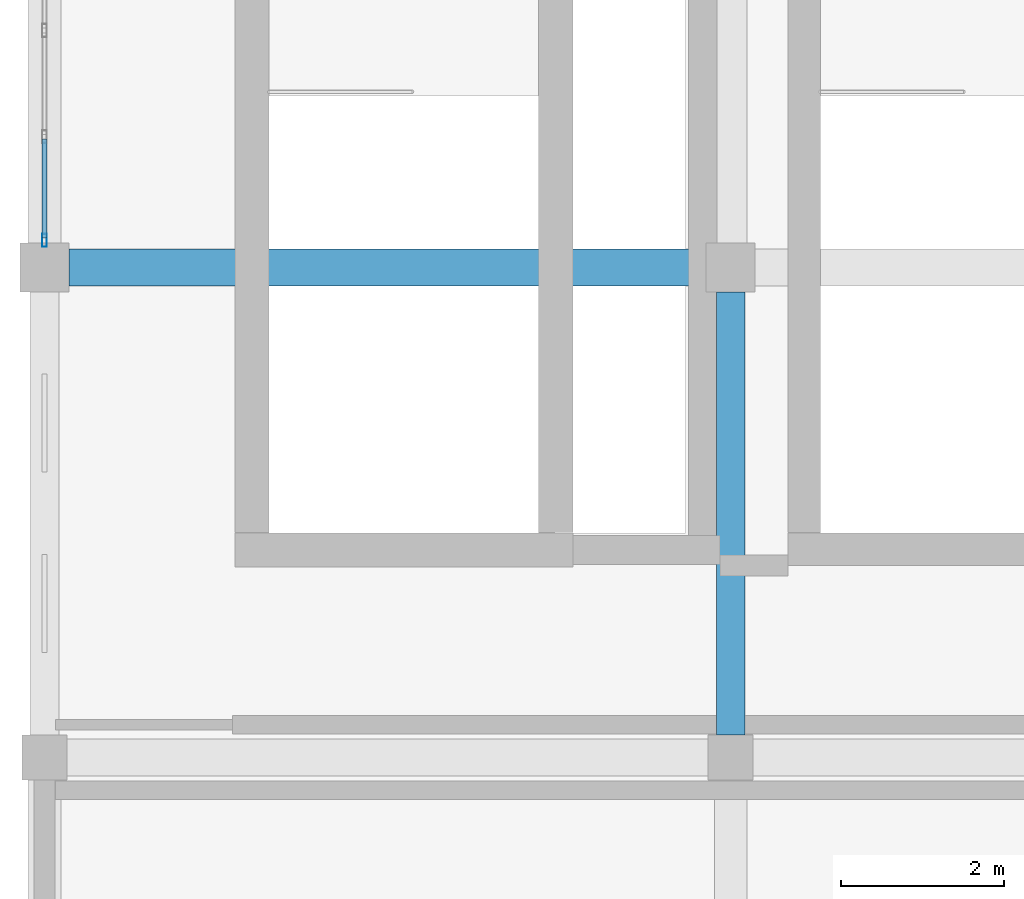
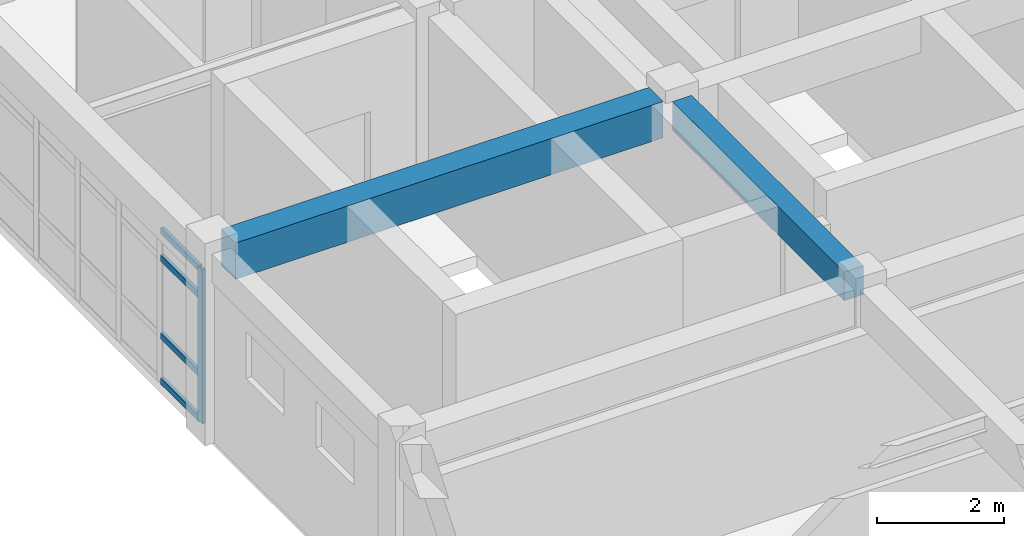
# One storey, part 4 of 17: 5 members, 2 beams, 1 element without a shape of its own.
"""IFC4 building model written with IfcOpenShell, lengths in metres."""

from ifc_helpers import new_model, si_unit, direction, frame, origin, origin_2d, place, context, subcontext, project, spatial, rectangle, hollow_rectangle, extrude, material, layer, layer_set, material_profile, profile_set, type_object, element, aggregate, save


model = new_model("IFC4")

# Units and contexts
model_context = context("Model", 3, precision=1e-05, world=origin(), true_north=direction((0.0, 1.0)))
body_context = subcontext(model_context, "Body", "Model", "MODEL_VIEW")
ifc_project = project(units=[si_unit("LENGTHUNIT", "METRE"), si_unit("AREAUNIT", "SQUARE_METRE"), si_unit("VOLUMEUNIT", "CUBIC_METRE"), si_unit("PLANEANGLEUNIT", "RADIAN"), si_unit("MASSUNIT", "GRAM", prefix="KILO")], contexts=[model_context])

# Site, building, storey
site_placement = place(None, origin())
site = spatial("IfcSite", under=ifc_project, at=site_placement, CompositionType="ELEMENT")
building_placement = place(site_placement, origin())
building = spatial("IfcBuilding", under=site, at=building_placement, Name="Krzemoval Escarpment Law Courts", CompositionType="ELEMENT")
storey_placement = place(building_placement, frame((0.0, 0.0, 42.0)))
storey = spatial("IfcBuildingStorey", under=building, at=storey_placement, Name="L09", CompositionType="ELEMENT", Elevation=42.0)

# Beams
ifc_material_1 = material(Name="Concrete C40/50", Category="concrete")
ifc_material_profile_1 = material_profile(ifc_material_1, rectangle(XDim=0.35009765625, YDim=0.550048828125, at=origin_2d()), Name="RCB 350x550")
ifc_profile_set_1 = profile_set([ifc_material_profile_1], Name="Concrete C40/50")
beam_type_1 = type_object("IfcBeamType", Name="BM-RC-350x550", PredefinedType="BEAM", material=ifc_profile_set_1)
beam_1_placement = place(storey_placement, frame((134.39990234375, 93.875, 3.385009765625), z_axis=(0.0, 1.0, 0.0), x_axis=(-1.0, 0.0, 0.0)))
element("IfcBeam", 1, at=beam_1_placement, inside=storey, type_object=beam_type_1, Name="Beam FG-L09-2807", PredefinedType="BEAM", context=body_context, shape_type="SweptSolid", body=[
    extrude(rectangle(XDim=0.35009765625, YDim=0.550048828125, at=origin_2d()), origin(), (0.0, 0.0, 1.0), 5.425048828125),
])
ifc_material_2 = material(Name="Concrete C40/50", Category="concrete")
ifc_material_profile_2 = material_profile(ifc_material_2, rectangle(XDim=0.449951171875, YDim=0.699951171875, at=origin_2d()), Name="RCB 450x700")
ifc_profile_set_2 = profile_set([ifc_material_profile_2], Name="Concrete C40/50")
beam_type_2 = type_object("IfcBeamType", Name="BM-RC-450x700", PredefinedType="BEAM", material=ifc_profile_set_2)
beam_2_placement = place(storey_placement, frame((126.300048828125, 99.60009765625, 3.31005859375), z_axis=(1.0, 0.0, 0.0), x_axis=(0.0, 1.0, 0.0)))
element("IfcBeam", 2, at=beam_2_placement, inside=storey, type_object=beam_type_2, Name="Beam FG-L09-2789", PredefinedType="BEAM", context=body_context, shape_type="SweptSolid", body=[
    extrude(rectangle(XDim=0.449951171875, YDim=0.699951171875, at=origin_2d()), origin(), (0.0, 0.0, 1.0), 7.800048828125),
])

# Curtain wall, members
ifc_material_3 = material(Name="Aluminium 6063-T6", Category="aluminium")
ifc_layer = layer(ifc_material_3, 0.199951171875)
ifc_layer_set = layer_set([ifc_layer], Name="Aluminium 6063-T6")
curtain_wall_type = type_object("IfcCurtainWallType", Name="CW-CRWN-3900", PredefinedType="USERDEFINED", material=ifc_layer_set)
curtain_wall_placement = place(storey_placement, origin())
curtain_wall = element("IfcCurtainWall", 3, at=curtain_wall_placement, inside=storey, type_object=curtain_wall_type, Name="Unitised Curtain Wall FCW-L09-169", ObjectType="UNITISED_CURTAIN_WALL", PredefinedType="USERDEFINED")
ifc_material_4 = material(Name="Aluminium 6063-T6", Category="aluminium")
ifc_material_profile_3 = material_profile(ifc_material_4, hollow_rectangle(XDim=0.06005859375, YDim=0.159912109375, WallThickness=0.00390625, at=origin_2d()), Name="ALU M60x160")
ifc_profile_set_3 = profile_set([ifc_material_profile_3], Name="Aluminium 6063-T6")
member_type_1 = type_object("IfcMemberType", Name="CWM-60x160", PredefinedType="MULLION", material=ifc_profile_set_3)
member_1_placement = place(storey_placement, frame((126.0, 99.929931640625, 0.0), z_axis=(0.0, 0.0, 1.0), x_axis=(-1.0, 0.0, 0.0)))
member_1 = element("IfcMember", 4, at=member_1_placement, type_object=member_type_1, Name="FCW-L09-169 mullion 1", PredefinedType="MULLION", context=body_context, shape_type="SweptSolid", body=[
    extrude(hollow_rectangle(XDim=0.06005859375, YDim=0.159912109375, WallThickness=0.00390625, at=origin_2d()), origin(), (0.0, 0.0, 1.0), 2.9599609375),
])
ifc_material_5 = material(Name="Aluminium 6063-T6", Category="aluminium")
ifc_material_profile_4 = material_profile(ifc_material_5, hollow_rectangle(XDim=0.06005859375, YDim=0.1201171875, WallThickness=0.00390625, at=origin_2d()), Name="ALU T60x120")
ifc_profile_set_4 = profile_set([ifc_material_profile_4], Name="Aluminium 6063-T6")
member_type_2 = type_object("IfcMemberType", Name="CWT-60x120", PredefinedType="USERDEFINED", material=ifc_profile_set_4)
member_2_placement = place(storey_placement, frame((126.0, 99.9599609375, 0.030029296875), z_axis=(0.0, 1.0, 0.0), x_axis=(-1.0, 0.0, 0.0)))
member_2 = element("IfcMember", 5, at=member_2_placement, type_object=member_type_2, Name="FCW-L09-169 transom 1.1", ObjectType="TRANSOM", PredefinedType="USERDEFINED", context=body_context, shape_type="SweptSolid", body=[
    extrude(hollow_rectangle(XDim=0.06005859375, YDim=0.1201171875, WallThickness=0.00390625, at=origin_2d()), origin(), (0.0, 0.0, 1.0), 1.2099609375),
])
member_3_placement = place(storey_placement, frame((126.0, 99.9599609375, 0.89990234375), z_axis=(0.0, 1.0, 0.0), x_axis=(-1.0, 0.0, 0.0)))
member_3 = element("IfcMember", 6, at=member_3_placement, type_object=member_type_2, Name="FCW-L09-169 transom 1.2", ObjectType="TRANSOM", PredefinedType="USERDEFINED", context=body_context, shape_type="SweptSolid", body=[
    extrude(hollow_rectangle(XDim=0.06005859375, YDim=0.1201171875, WallThickness=0.00390625, at=origin_2d()), origin(), (0.0, 0.0, 1.0), 1.2099609375),
])
member_4_placement = place(storey_placement, frame((126.0, 99.9599609375, 2.39990234375), z_axis=(0.0, 1.0, 0.0), x_axis=(-1.0, 0.0, 0.0)))
member_4 = element("IfcMember", 7, at=member_4_placement, type_object=member_type_2, Name="FCW-L09-169 transom 1.3", ObjectType="TRANSOM", PredefinedType="USERDEFINED", context=body_context, shape_type="SweptSolid", body=[
    extrude(hollow_rectangle(XDim=0.06005859375, YDim=0.1201171875, WallThickness=0.00390625, at=origin_2d()), origin(), (0.0, 0.0, 1.0), 1.2099609375),
])
member_5_placement = place(storey_placement, frame((126.0, 99.9599609375, 2.929931640625), z_axis=(0.0, 1.0, 0.0), x_axis=(-1.0, 0.0, 0.0)))
member_5 = element("IfcMember", 8, at=member_5_placement, type_object=member_type_2, Name="FCW-L09-169 transom 1.4", ObjectType="TRANSOM", PredefinedType="USERDEFINED", context=body_context, shape_type="SweptSolid", body=[
    extrude(hollow_rectangle(XDim=0.06005859375, YDim=0.1201171875, WallThickness=0.00390625, at=origin_2d()), origin(), (0.0, 0.0, 1.0), 1.2099609375),
])
aggregate(curtain_wall, [member_1, member_2, member_3, member_4, member_5])

save(model, "model.ifc")
